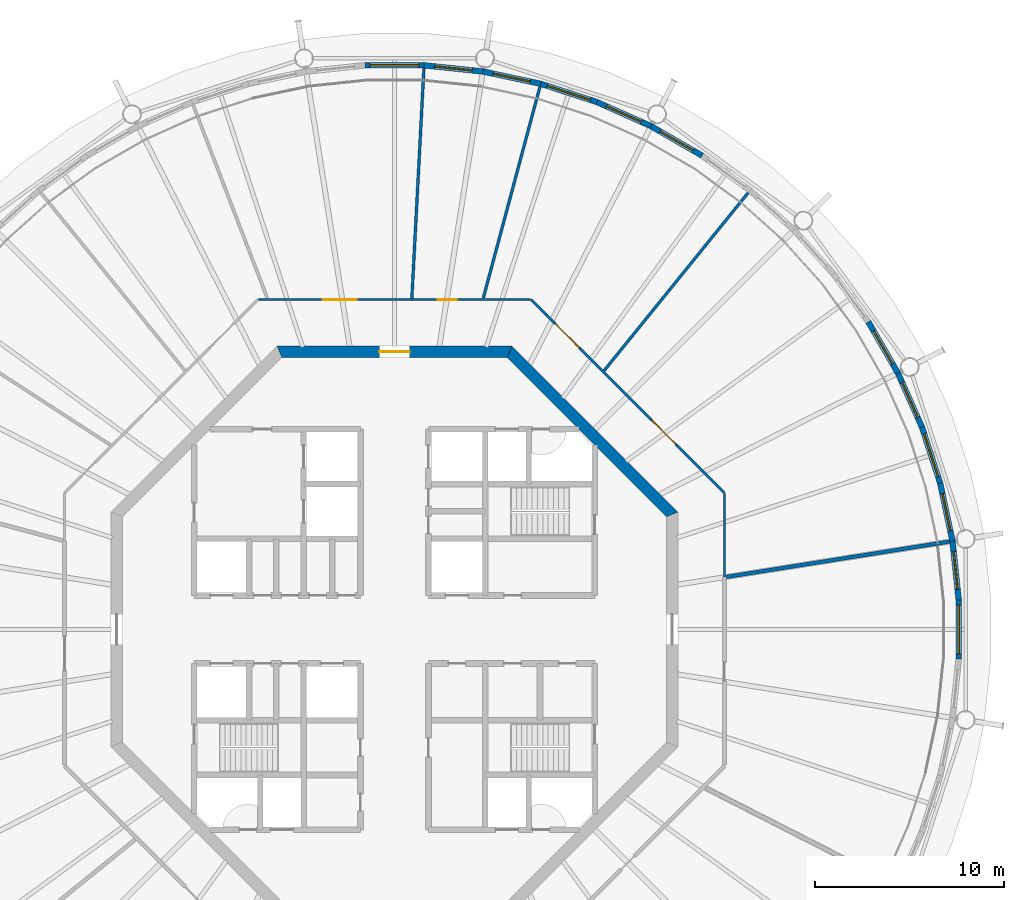
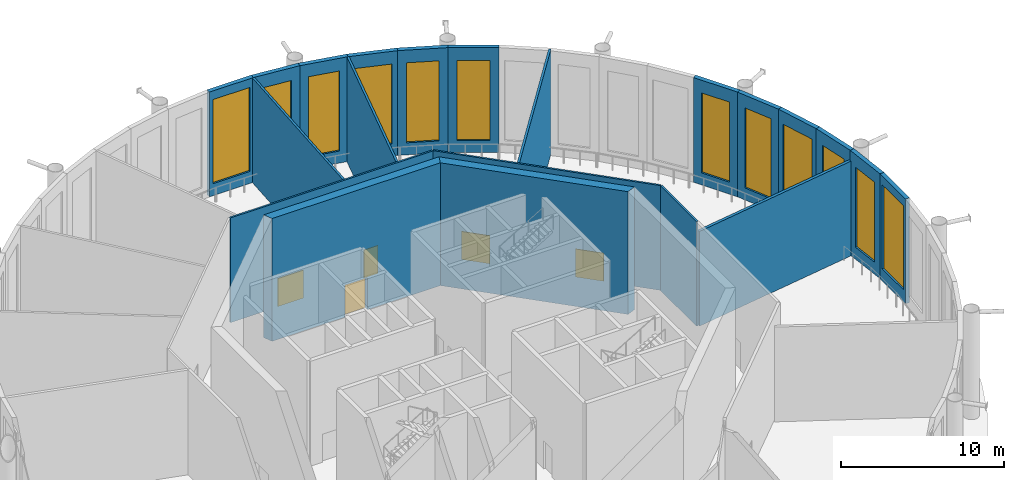
# One storey, part 8 of 17: 21 walls, 12 windows, 5 doors, 17 openings.
"""IFC4 building model written with IfcOpenShell, lengths in metres."""

from ifc_helpers import new_model, si_unit, direction, frame, frame_2d, origin, place, context, subcontext, project, spatial, polyline, rectangle, outline, extrude, material, layer, layer_set, type_object, element, fill, save


model = new_model("IFC4")

# Units and contexts
model_context = context("Model", 3, precision=1e-05, world=origin(), true_north=direction((0.0, 1.0)))
body_context = subcontext(model_context, "Body", "Model", "MODEL_VIEW")
ifc_project = project(units=[si_unit("LENGTHUNIT", "METRE"), si_unit("AREAUNIT", "SQUARE_METRE"), si_unit("VOLUMEUNIT", "CUBIC_METRE"), si_unit("PLANEANGLEUNIT", "RADIAN"), si_unit("MASSUNIT", "GRAM", prefix="KILO")], contexts=[model_context])

# Site, building, storey
site_placement = place(None, origin())
site = spatial("IfcSite", under=ifc_project, at=site_placement, CompositionType="ELEMENT")
building_placement = place(site_placement, origin())
building = spatial("IfcBuilding", under=site, at=building_placement, Name="Entoto Ring Tower", CompositionType="ELEMENT")
storey_placement = place(building_placement, frame((0.0, 0.0, 407.0)))
storey = spatial("IfcBuildingStorey", under=building, at=storey_placement, Name="L93", CompositionType="ELEMENT", Elevation=407.0)

# Wall
ifc_material_1 = material(Name="Concrete C40/50", Category="concrete")
ifc_layer_1 = layer(ifc_material_1, 0.60009765625)
ifc_layer_set_1 = layer_set([ifc_layer_1], Name="Concrete C40/50")
wall_type_1 = type_object("IfcWallType", Name="Core shear wall 600 mm reinforced concrete C40/50 to roof parapet", PredefinedType="SHEAR", material=ifc_layer_set_1)
wall_1_placement = place(storey_placement, frame((104.699951171875, 86.0888671875, 0.0), z_axis=(0.0, 0.0, 1.0), x_axis=(-0.707106781187, 0.707106781187, 0.0)))
element("IfcWall", 1, at=wall_1_placement, inside=storey, type_object=wall_type_1, Name="wall-L93-core-1", PredefinedType="SHEAR", context=body_context, shape_type="SweptSolid", body=[
    extrude(outline(polyline([(-0.124267578125, -0.300048828125), (12.30224609375, -0.300048828125), (12.0537109375, 0.300048828125), (0.124267578125, 0.300048828125), (-0.124267578125, -0.300048828125)])), origin(), (0.0, 0.0, 1.0), 9.199951171875),
])

# Wall, opening, door
wall_2_placement = place(storey_placement, frame((96.0888671875, 94.699951171875, 0.0), z_axis=(0.0, 0.0, 1.0), x_axis=(-1.0, 0.0, 0.0)))
wall_2 = element("IfcWall", 2, at=wall_2_placement, inside=storey, type_object=wall_type_1, Name="wall-L93-core-2", PredefinedType="SHEAR", context=body_context, shape_type="SweptSolid", body=[
    extrude(outline(polyline([(-0.124267578125, -0.300048828125), (12.302001953125, -0.300048828125), (12.053466796875, 0.300048828125), (0.124267578125, 0.300048828125), (-0.124267578125, -0.300048828125)])), origin(), (0.0, 0.0, 1.0), 9.199951171875),
])
opening_1_placement = place(wall_2_placement, frame((5.288818359375, 0.0, 0.0)))
opening_1 = element("IfcOpeningElement", 3, at=opening_1_placement, cuts=wall_2, Name="Opening K-02", PredefinedType="OPENING", context=body_context, shape_type="SweptSolid", body=[
    extrude(rectangle(XDim=1.60009765625, YDim=2.39990234375, at=frame_2d((0.800048828125, 1.199951171875))), frame((0.0, 0.31005859375, 0.0), z_axis=(0.0, -1.0, 0.0), x_axis=(1.0, 0.0, 0.0)), (0.0, 0.0, 1.0), 0.6201171875),
])
ifc_material_2 = material(Name="Steel door leaf, fire rated", Category="steel")
ifc_layer_2 = layer(ifc_material_2, 0.050048828125)
ifc_layer_set_2 = layer_set([ifc_layer_2], Name="Steel door leaf, fire rated")
door_type_1 = type_object("IfcDoorType", Name="Entrance door FD60 1600 x 2400 double leaf", OperationType="DOUBLE_DOOR_SINGLE_SWING", PredefinedType="DOOR", material=ifc_layer_set_2)
door_1_placement = place(opening_1_placement, origin())
door_1 = element("IfcDoor", 4, at=door_1_placement, inside=storey, type_object=door_type_1, Name="Entrance door K-02", OperationType="DOUBLE_DOOR_SINGLE_SWING", OverallHeight=2.39990234375, OverallWidth=1.60009765625, PredefinedType="DOOR", context=body_context, shape_type="SweptSolid", body=[
    extrude(rectangle(XDim=1.60009765625, YDim=2.39990234375, at=frame_2d((0.800048828125, 1.199951171875))), frame((0.0, 0.02490234375, 0.0), z_axis=(0.0, -1.0, 0.0), x_axis=(1.0, 0.0, 0.0)), (0.0, 0.0, 1.0), 0.050048828125),
])
fill(opening_1, door_1)

# Wall, openings, doors
ifc_material_3 = material(Name="Fire-resisting plasterboard on steel studs", Category="steel")
ifc_layer_3 = layer(ifc_material_3, 0.125)
ifc_layer_set_3 = layer_set([ifc_layer_3], Name="Fire-resisting plasterboard on steel studs")
wall_type_2 = type_object("IfcWallType", Name="Corridor wall 125 mm one-hour plasterboard on steel studs", PredefinedType="PARTITIONING", material=ifc_layer_set_3)
wall_3_placement = place(storey_placement, frame((107.46240234375, 87.233154296875, 0.0), z_axis=(0.0, 0.0, 1.0), x_axis=(-0.707106781187, 0.707106781187, 0.0)))
wall_3 = element("IfcWall", 5, at=wall_3_placement, inside=storey, type_object=wall_type_2, Name="partition-L93-002", PredefinedType="PARTITIONING", context=body_context, shape_type="SweptSolid", body=[
    extrude(rectangle(XDim=14.46630859375, YDim=0.125, at=frame_2d((7.233154296875, 0.0))), origin(), (0.0, 0.0, 1.0), 7.85009765625),
])
opening_2_placement = place(wall_3_placement, frame((3.63427734375, 0.0, 0.0)))
opening_2 = element("IfcOpeningElement", 6, at=opening_2_placement, cuts=wall_3, Name="Opening A41-D01", PredefinedType="OPENING", context=body_context, shape_type="SweptSolid", body=[
    extrude(rectangle(XDim=1.800048828125, YDim=2.10009765625, at=frame_2d((0.89990234375, 1.050048828125))), frame((0.0, 0.072509765625, 0.0), z_axis=(0.0, -1.0, 0.0), x_axis=(1.0, 0.0, 0.0)), (0.0, 0.0, 1.0), 0.14501953125),
])
opening_3_placement = place(wall_3_placement, frame((10.867431640625, 0.0, 0.0)))
opening_3 = element("IfcOpeningElement", 7, at=opening_3_placement, cuts=wall_3, Name="Opening A41-D02", PredefinedType="OPENING", context=body_context, shape_type="SweptSolid", body=[
    extrude(rectangle(XDim=1.800048828125, YDim=2.10009765625, at=frame_2d((0.89990234375, 1.050048828125))), frame((0.0, 0.072509765625, 0.0), z_axis=(0.0, -1.0, 0.0), x_axis=(1.0, 0.0, 0.0)), (0.0, 0.0, 1.0), 0.14501953125),
])
ifc_material_4 = material(Name="Fire-resisting timber door set", Category="wood")
door_type_2 = type_object("IfcDoorType", Name="Door 1800 x 2100 double leaf FD30S fire door", OperationType="DOUBLE_DOOR_SINGLE_SWING", PredefinedType="DOOR", material=ifc_material_4)
door_2_placement = place(opening_2_placement, origin())
door_2 = element("IfcDoor", 8, at=door_2_placement, inside=storey, type_object=door_type_2, Name="Door A41-D01", OperationType="DOUBLE_DOOR_SINGLE_SWING", OverallHeight=2.10009765625, OverallWidth=1.800048828125, PredefinedType="DOOR", context=body_context, shape_type="SweptSolid", body=[
    extrude(rectangle(XDim=1.800048828125, YDim=2.10009765625, at=frame_2d((0.89990234375, 1.050048828125))), frame((0.0, 0.02490234375, 0.0), z_axis=(0.0, -1.0, 0.0), x_axis=(1.0, 0.0, 0.0)), (0.0, 0.0, 1.0), 0.050048828125),
])
fill(opening_2, door_2)
door_3_placement = place(opening_3_placement, origin())
door_3 = element("IfcDoor", 9, at=door_3_placement, inside=storey, type_object=door_type_2, Name="Door A41-D02", OperationType="DOUBLE_DOOR_SINGLE_SWING", OverallHeight=2.10009765625, OverallWidth=1.800048828125, PredefinedType="DOOR", context=body_context, shape_type="SweptSolid", body=[
    extrude(rectangle(XDim=1.800048828125, YDim=2.10009765625, at=frame_2d((0.89990234375, 1.050048828125))), frame((0.0, 0.02490234375, 0.0), z_axis=(0.0, -1.0, 0.0), x_axis=(1.0, 0.0, 0.0)), (0.0, 0.0, 1.0), 0.050048828125),
])
fill(opening_3, door_3)

wall_4_placement = place(storey_placement, frame((82.810791015625, 97.46240234375, 0.0), z_axis=(0.0, 0.0, 1.0), x_axis=(1.0, 0.0, 0.0)))
wall_4 = element("IfcWall", 10, at=wall_4_placement, inside=storey, type_object=wall_type_2, Name="partition-L93-003", PredefinedType="PARTITIONING", context=body_context, shape_type="SweptSolid", body=[
    extrude(rectangle(XDim=14.37841796875, YDim=0.125, at=frame_2d((7.189208984375, 0.0))), origin(), (0.0, 0.0, 1.0), 7.85009765625),
])
opening_4_placement = place(wall_4_placement, frame((9.486328125, 0.0, 0.0)))
opening_4 = element("IfcOpeningElement", 11, at=opening_4_placement, cuts=wall_4, Name="Opening A41-D03", PredefinedType="OPENING", context=body_context, shape_type="SweptSolid", body=[
    extrude(rectangle(XDim=1.0, YDim=2.10009765625, at=frame_2d((0.5, 1.050048828125))), frame((0.0, 0.072509765625, 0.0), z_axis=(0.0, -1.0, 0.0), x_axis=(1.0, 0.0, 0.0)), (0.0, 0.0, 1.0), 0.14501953125),
])
opening_5_placement = place(wall_4_placement, frame((3.395263671875, 0.0, 0.0)))
opening_5 = element("IfcOpeningElement", 12, at=opening_5_placement, cuts=wall_4, Name="Opening A41-D04", PredefinedType="OPENING", context=body_context, shape_type="SweptSolid", body=[
    extrude(rectangle(XDim=1.800048828125, YDim=2.10009765625, at=frame_2d((0.89990234375, 1.050048828125))), frame((0.0, 0.072509765625, 0.0), z_axis=(0.0, -1.0, 0.0), x_axis=(1.0, 0.0, 0.0)), (0.0, 0.0, 1.0), 0.14501953125),
])
ifc_material_5 = material(Name="Fire-resisting timber door set", Category="wood")
door_type_3 = type_object("IfcDoorType", Name="Door 1000 x 2100 single leaf FD30S fire door", OperationType="NOTDEFINED", PredefinedType="DOOR", material=ifc_material_5)
door_4_placement = place(opening_4_placement, origin())
door_4 = element("IfcDoor", 13, at=door_4_placement, inside=storey, type_object=door_type_3, Name="Door A41-D03", OperationType="SINGLE_SWING_LEFT", OverallHeight=2.10009765625, OverallWidth=1.0, PredefinedType="DOOR", context=body_context, shape_type="SweptSolid", body=[
    extrude(rectangle(XDim=1.0, YDim=2.10009765625, at=frame_2d((0.5, 1.050048828125))), frame((0.0, 0.02490234375, 0.0), z_axis=(0.0, -1.0, 0.0), x_axis=(1.0, 0.0, 0.0)), (0.0, 0.0, 1.0), 0.050048828125),
])
fill(opening_4, door_4)
door_5_placement = place(opening_5_placement, frame((1.800048828125, 0.0, 0.0), z_axis=(0.0, 0.0, 1.0), x_axis=(-1.0, 0.0, 0.0)))
door_5 = element("IfcDoor", 14, at=door_5_placement, inside=storey, type_object=door_type_2, Name="Door A41-D04", OperationType="DOUBLE_DOOR_SINGLE_SWING", OverallHeight=2.10009765625, OverallWidth=1.800048828125, PredefinedType="DOOR", context=body_context, shape_type="SweptSolid", body=[
    extrude(rectangle(XDim=1.800048828125, YDim=2.10009765625, at=frame_2d((0.89990234375, 1.050048828125))), frame((0.0, 0.02490234375, 0.0), z_axis=(0.0, -1.0, 0.0), x_axis=(1.0, 0.0, 0.0)), (0.0, 0.0, 1.0), 0.050048828125),
])
fill(opening_5, door_5)

# Wall
wall_5_placement = place(storey_placement, frame((107.46240234375, 82.765869140625, 0.0), z_axis=(0.0, 0.0, 1.0), x_axis=(0.0, 1.0, 0.0)))
element("IfcWall", 15, at=wall_5_placement, inside=storey, type_object=wall_type_2, Name="partition-L93-005", PredefinedType="PARTITIONING", context=body_context, shape_type="SweptSolid", body=[
    extrude(rectangle(XDim=4.42333984375, YDim=0.125, at=frame_2d((2.211669921875, 0.0))), origin(), (0.0, 0.0, 1.0), 7.85009765625),
])

# Wall, opening, window
ifc_material_6 = material(Name="Insulated aluminium rainscreen on steel studs", Category="steel")
ifc_layer_4 = layer(ifc_material_6, 0.300048828125)
ifc_layer_set_4 = layer_set([ifc_layer_4], Name="Insulated aluminium rainscreen on steel studs")
wall_type_3 = type_object("IfcWallType", Name="Observation facade wall 300 mm", PredefinedType="STANDARD", material=ifc_layer_set_4)
wall_6_placement = place(storey_placement, frame((119.531982421875, 84.677490234375, 0.0), z_axis=(0.0, 0.0, 1.0), x_axis=(-0.207967911336, 0.978135649005, 0.0)))
wall_6 = element("IfcWall", 16, at=wall_6_placement, inside=storey, type_object=wall_type_3, Name="OBSERVATION WALL 00", PredefinedType="STANDARD", context=body_context, shape_type="SweptSolid", body=[
    extrude(outline(polyline([(-0.0078125, -0.14990234375), (3.137451171875, -0.14990234375), (3.121826171875, 0.14990234375), (0.0078125, 0.14990234375), (-0.0078125, -0.14990234375)])), origin(), (0.0, 0.0, 1.0), 7.85009765625),
])
opening_6_placement = place(wall_6_placement, frame((0.56494140625, 0.0, 0.89990234375)))
opening_6 = element("IfcOpeningElement", 17, at=opening_6_placement, cuts=wall_6, Name="Opening W2", PredefinedType="OPENING", context=body_context, shape_type="SweptSolid", body=[
    extrude(rectangle(XDim=2.0, YDim=6.0, at=frame_2d((1.0, 3.0))), frame((0.0, 0.16015625, 0.0), z_axis=(0.0, -1.0, 0.0), x_axis=(1.0, 0.0, 0.0)), (0.0, 0.0, 1.0), 0.320068359375),
])
ifc_material_7 = material(Name="Clear low-iron glass in anodised aluminium frame", Category="aluminium")
window_type_1 = type_object("IfcWindowType", Name="Observation window W2 2000 x 6000 mm fixed", PartitioningType="SINGLE_PANEL", PredefinedType="WINDOW", material=ifc_material_7)
window_1_placement = place(opening_6_placement, origin())
window_1 = element("IfcWindow", 18, at=window_1_placement, inside=storey, type_object=window_type_1, Name="OBSERVATION WINDOW 00", OverallHeight=6.0, OverallWidth=2.0, PartitioningType="SINGLE_PANEL", PredefinedType="WINDOW", context=body_context, shape_type="SweptSolid", body=[
    extrude(rectangle(XDim=2.0, YDim=6.0, at=frame_2d((1.0, 3.0))), frame((0.0, 0.030029296875, 0.0), z_axis=(0.0, -1.0, 0.0), x_axis=(1.0, 0.0, 0.0)), (0.0, 0.0, 1.0), 0.06005859375),
])
fill(opening_6, window_1)

wall_7_placement = place(storey_placement, frame((118.881103515625, 87.73876953125, 0.0), z_axis=(0.0, 0.0, 1.0), x_axis=(-0.309010219079, 0.951058717696, 0.0)))
wall_7 = element("IfcWall", 19, at=wall_7_placement, inside=storey, type_object=wall_type_3, Name="OBSERVATION WALL 01", PredefinedType="STANDARD", context=body_context, shape_type="SweptSolid", body=[
    extrude(outline(polyline([(-0.0078125, -0.14990234375), (3.13720703125, -0.14990234375), (3.12158203125, 0.14990234375), (0.0078125, 0.14990234375), (-0.0078125, -0.14990234375)])), origin(), (0.0, 0.0, 1.0), 7.85009765625),
])
opening_7_placement = place(wall_7_placement, frame((0.36474609375, 0.0, 0.89990234375)))
opening_7 = element("IfcOpeningElement", 20, at=opening_7_placement, cuts=wall_7, Name="Opening W1", PredefinedType="OPENING", context=body_context, shape_type="SweptSolid", body=[
    extrude(rectangle(XDim=2.39990234375, YDim=6.0, at=frame_2d((1.199951171875, 3.0))), frame((0.0, 0.16015625, 0.0), z_axis=(0.0, -1.0, 0.0), x_axis=(1.0, 0.0, 0.0)), (0.0, 0.0, 1.0), 0.320068359375),
])
ifc_material_8 = material(Name="Clear low-iron glass in anodised aluminium frame", Category="aluminium")
window_type_2 = type_object("IfcWindowType", Name="Observation window W1 2400 x 6000 mm fixed", PartitioningType="SINGLE_PANEL", PredefinedType="WINDOW", material=ifc_material_8)
window_2_placement = place(opening_7_placement, origin())
window_2 = element("IfcWindow", 21, at=window_2_placement, inside=storey, type_object=window_type_2, Name="OBSERVATION WINDOW 01", OverallHeight=6.0, OverallWidth=2.39990234375, PartitioningType="SINGLE_PANEL", PredefinedType="WINDOW", context=body_context, shape_type="SweptSolid", body=[
    extrude(rectangle(XDim=2.39990234375, YDim=6.0, at=frame_2d((1.199951171875, 3.0))), frame((0.0, 0.030029296875, 0.0), z_axis=(0.0, -1.0, 0.0), x_axis=(1.0, 0.0, 0.0)), (0.0, 0.0, 1.0), 0.06005859375),
])
fill(opening_7, window_2)

wall_8_placement = place(storey_placement, frame((117.9140625, 90.715087890625, 0.0), z_axis=(0.0, 0.0, 1.0), x_axis=(-0.406731881889, 0.913547577445, 0.0)))
wall_8 = element("IfcWall", 22, at=wall_8_placement, inside=storey, type_object=wall_type_3, Name="OBSERVATION WALL 02", PredefinedType="STANDARD", context=body_context, shape_type="SweptSolid", body=[
    extrude(outline(polyline([(-0.0078125, -0.14990234375), (3.137451171875, -0.14990234375), (3.121826171875, 0.14990234375), (0.0078125, 0.14990234375), (-0.0078125, -0.14990234375)])), origin(), (0.0, 0.0, 1.0), 7.85009765625),
])
opening_8_placement = place(wall_8_placement, frame((0.56494140625, 0.0, 0.89990234375)))
opening_8 = element("IfcOpeningElement", 23, at=opening_8_placement, cuts=wall_8, Name="Opening W2", PredefinedType="OPENING", context=body_context, shape_type="SweptSolid", body=[
    extrude(rectangle(XDim=2.0, YDim=6.0, at=frame_2d((1.0, 3.0))), frame((0.0, 0.16015625, 0.0), z_axis=(0.0, -1.0, 0.0), x_axis=(1.0, 0.0, 0.0)), (0.0, 0.0, 1.0), 0.320068359375),
])
window_3_placement = place(opening_8_placement, origin())
window_3 = element("IfcWindow", 24, at=window_3_placement, inside=storey, type_object=window_type_1, Name="OBSERVATION WINDOW 02", OverallHeight=6.0, OverallWidth=2.0, PartitioningType="SINGLE_PANEL", PredefinedType="WINDOW", context=body_context, shape_type="SweptSolid", body=[
    extrude(rectangle(XDim=2.0, YDim=6.0, at=frame_2d((1.0, 3.0))), frame((0.0, 0.030029296875, 0.0), z_axis=(0.0, -1.0, 0.0), x_axis=(1.0, 0.0, 0.0)), (0.0, 0.0, 1.0), 0.06005859375),
])
fill(opening_8, window_3)

wall_9_placement = place(storey_placement, frame((116.64111328125, 93.57421875, 0.0), z_axis=(0.0, 0.0, 1.0), x_axis=(-0.5000150537, 0.866016712352, 0.0)))
wall_9 = element("IfcWall", 25, at=wall_9_placement, inside=storey, type_object=wall_type_3, Name="OBSERVATION WALL 03", PredefinedType="STANDARD", context=body_context, shape_type="SweptSolid", body=[
    extrude(outline(polyline([(-0.0078125, -0.14990234375), (3.1376953125, -0.14990234375), (3.1220703125, 0.14990234375), (0.0078125, 0.14990234375), (-0.0078125, -0.14990234375)])), origin(), (0.0, 0.0, 1.0), 7.85009765625),
])
opening_9_placement = place(wall_9_placement, frame((0.56494140625, 0.0, 0.89990234375)))
opening_9 = element("IfcOpeningElement", 26, at=opening_9_placement, cuts=wall_9, Name="Opening W2", PredefinedType="OPENING", context=body_context, shape_type="SweptSolid", body=[
    extrude(rectangle(XDim=2.0, YDim=6.0, at=frame_2d((1.0, 3.0))), frame((0.0, 0.16015625, 0.0), z_axis=(0.0, -1.0, 0.0), x_axis=(1.0, 0.0, 0.0)), (0.0, 0.0, 1.0), 0.320068359375),
])
window_4_placement = place(opening_9_placement, origin())
window_4 = element("IfcWindow", 27, at=window_4_placement, inside=storey, type_object=window_type_1, Name="OBSERVATION WINDOW 03", OverallHeight=6.0, OverallWidth=2.0, PartitioningType="SINGLE_PANEL", PredefinedType="WINDOW", context=body_context, shape_type="SweptSolid", body=[
    extrude(rectangle(XDim=2.0, YDim=6.0, at=frame_2d((1.0, 3.0))), frame((0.0, 0.030029296875, 0.0), z_axis=(0.0, -1.0, 0.0), x_axis=(1.0, 0.0, 0.0)), (0.0, 0.0, 1.0), 0.06005859375),
])
fill(opening_9, window_4)

wall_10_placement = place(storey_placement, frame((106.28466796875, 105.076171875, 0.0), z_axis=(0.0, 0.0, 1.0), x_axis=(-0.866016712352, 0.5000150537, 0.0)))
wall_10 = element("IfcWall", 28, at=wall_10_placement, inside=storey, type_object=wall_type_3, Name="OBSERVATION WALL 08", PredefinedType="STANDARD", context=body_context, shape_type="SweptSolid", body=[
    extrude(outline(polyline([(-0.0078125, -0.14990234375), (3.1376953125, -0.14990234375), (3.1220703125, 0.14990234375), (0.0078125, 0.14990234375), (-0.0078125, -0.14990234375)])), origin(), (0.0, 0.0, 1.0), 7.85009765625),
])
opening_10_placement = place(wall_10_placement, frame((0.56494140625, 0.0, 0.89990234375)))
opening_10 = element("IfcOpeningElement", 29, at=opening_10_placement, cuts=wall_10, Name="Opening W2", PredefinedType="OPENING", context=body_context, shape_type="SweptSolid", body=[
    extrude(rectangle(XDim=2.0, YDim=6.0, at=frame_2d((1.0, 3.0))), frame((0.0, 0.16015625, 0.0), z_axis=(0.0, -1.0, 0.0), x_axis=(1.0, 0.0, 0.0)), (0.0, 0.0, 1.0), 0.320068359375),
])
window_5_placement = place(opening_10_placement, origin())
window_5 = element("IfcWindow", 30, at=window_5_placement, inside=storey, type_object=window_type_1, Name="OBSERVATION WINDOW 08", OverallHeight=6.0, OverallWidth=2.0, PartitioningType="SINGLE_PANEL", PredefinedType="WINDOW", context=body_context, shape_type="SweptSolid", body=[
    extrude(rectangle(XDim=2.0, YDim=6.0, at=frame_2d((1.0, 3.0))), frame((0.0, 0.030029296875, 0.0), z_axis=(0.0, -1.0, 0.0), x_axis=(1.0, 0.0, 0.0)), (0.0, 0.0, 1.0), 0.06005859375),
])
fill(opening_10, window_5)

wall_11_placement = place(storey_placement, frame((103.57421875, 106.64111328125, 0.0), z_axis=(0.0, 0.0, 1.0), x_axis=(-0.913547577445, 0.406731881889, 0.0)))
wall_11 = element("IfcWall", 31, at=wall_11_placement, inside=storey, type_object=wall_type_3, Name="OBSERVATION WALL 09", PredefinedType="STANDARD", context=body_context, shape_type="SweptSolid", body=[
    extrude(outline(polyline([(-0.0078125, -0.14990234375), (3.137451171875, -0.14990234375), (3.121826171875, 0.14990234375), (0.0078125, 0.14990234375), (-0.0078125, -0.14990234375)])), origin(), (0.0, 0.0, 1.0), 7.85009765625),
])
opening_11_placement = place(wall_11_placement, frame((0.56494140625, 0.0, 0.89990234375)))
opening_11 = element("IfcOpeningElement", 32, at=opening_11_placement, cuts=wall_11, Name="Opening W2", PredefinedType="OPENING", context=body_context, shape_type="SweptSolid", body=[
    extrude(rectangle(XDim=2.0, YDim=6.0, at=frame_2d((1.0, 3.0))), frame((0.0, 0.16015625, 0.0), z_axis=(0.0, -1.0, 0.0), x_axis=(1.0, 0.0, 0.0)), (0.0, 0.0, 1.0), 0.320068359375),
])
window_6_placement = place(opening_11_placement, origin())
window_6 = element("IfcWindow", 33, at=window_6_placement, inside=storey, type_object=window_type_1, Name="OBSERVATION WINDOW 09", OverallHeight=6.0, OverallWidth=2.0, PartitioningType="SINGLE_PANEL", PredefinedType="WINDOW", context=body_context, shape_type="SweptSolid", body=[
    extrude(rectangle(XDim=2.0, YDim=6.0, at=frame_2d((1.0, 3.0))), frame((0.0, 0.030029296875, 0.0), z_axis=(0.0, -1.0, 0.0), x_axis=(1.0, 0.0, 0.0)), (0.0, 0.0, 1.0), 0.06005859375),
])
fill(opening_11, window_6)

wall_12_placement = place(storey_placement, frame((100.715087890625, 107.9140625, 0.0), z_axis=(0.0, 0.0, 1.0), x_axis=(-0.951058717696, 0.309010219079, 0.0)))
wall_12 = element("IfcWall", 34, at=wall_12_placement, inside=storey, type_object=wall_type_3, Name="OBSERVATION WALL 10", PredefinedType="STANDARD", context=body_context, shape_type="SweptSolid", body=[
    extrude(outline(polyline([(-0.0078125, -0.14990234375), (3.13720703125, -0.14990234375), (3.12158203125, 0.14990234375), (0.0078125, 0.14990234375), (-0.0078125, -0.14990234375)])), origin(), (0.0, 0.0, 1.0), 7.85009765625),
])
opening_12_placement = place(wall_12_placement, frame((0.36474609375, 0.0, 0.89990234375)))
opening_12 = element("IfcOpeningElement", 35, at=opening_12_placement, cuts=wall_12, Name="Opening W1", PredefinedType="OPENING", context=body_context, shape_type="SweptSolid", body=[
    extrude(rectangle(XDim=2.39990234375, YDim=6.0, at=frame_2d((1.199951171875, 3.0))), frame((0.0, 0.16015625, 0.0), z_axis=(0.0, -1.0, 0.0), x_axis=(1.0, 0.0, 0.0)), (0.0, 0.0, 1.0), 0.320068359375),
])
window_7_placement = place(opening_12_placement, origin())
window_7 = element("IfcWindow", 36, at=window_7_placement, inside=storey, type_object=window_type_2, Name="OBSERVATION WINDOW 10", OverallHeight=6.0, OverallWidth=2.39990234375, PartitioningType="SINGLE_PANEL", PredefinedType="WINDOW", context=body_context, shape_type="SweptSolid", body=[
    extrude(rectangle(XDim=2.39990234375, YDim=6.0, at=frame_2d((1.199951171875, 3.0))), frame((0.0, 0.030029296875, 0.0), z_axis=(0.0, -1.0, 0.0), x_axis=(1.0, 0.0, 0.0)), (0.0, 0.0, 1.0), 0.06005859375),
])
fill(opening_12, window_7)

wall_13_placement = place(storey_placement, frame((97.73876953125, 108.881103515625, 0.0), z_axis=(0.0, 0.0, 1.0), x_axis=(-0.978135649005, 0.207967911336, 0.0)))
wall_13 = element("IfcWall", 37, at=wall_13_placement, inside=storey, type_object=wall_type_3, Name="OBSERVATION WALL 11", PredefinedType="STANDARD", context=body_context, shape_type="SweptSolid", body=[
    extrude(outline(polyline([(-0.0078125, -0.14990234375), (3.137451171875, -0.14990234375), (3.121826171875, 0.14990234375), (0.0078125, 0.14990234375), (-0.0078125, -0.14990234375)])), origin(), (0.0, 0.0, 1.0), 7.85009765625),
])
opening_13_placement = place(wall_13_placement, frame((0.56494140625, 0.0, 0.89990234375)))
opening_13 = element("IfcOpeningElement", 38, at=opening_13_placement, cuts=wall_13, Name="Opening W2", PredefinedType="OPENING", context=body_context, shape_type="SweptSolid", body=[
    extrude(rectangle(XDim=2.0, YDim=6.0, at=frame_2d((1.0, 3.0))), frame((0.0, 0.16015625, 0.0), z_axis=(0.0, -1.0, 0.0), x_axis=(1.0, 0.0, 0.0)), (0.0, 0.0, 1.0), 0.320068359375),
])
window_8_placement = place(opening_13_placement, origin())
window_8 = element("IfcWindow", 39, at=window_8_placement, inside=storey, type_object=window_type_1, Name="OBSERVATION WINDOW 11", OverallHeight=6.0, OverallWidth=2.0, PartitioningType="SINGLE_PANEL", PredefinedType="WINDOW", context=body_context, shape_type="SweptSolid", body=[
    extrude(rectangle(XDim=2.0, YDim=6.0, at=frame_2d((1.0, 3.0))), frame((0.0, 0.030029296875, 0.0), z_axis=(0.0, -1.0, 0.0), x_axis=(1.0, 0.0, 0.0)), (0.0, 0.0, 1.0), 0.06005859375),
])
fill(opening_13, window_8)

wall_14_placement = place(storey_placement, frame((94.677490234375, 109.531982421875, 0.0), z_axis=(0.0, 0.0, 1.0), x_axis=(-0.994521683674, 0.10453047738, 0.0)))
wall_14 = element("IfcWall", 40, at=wall_14_placement, inside=storey, type_object=wall_type_3, Name="OBSERVATION WALL 12", PredefinedType="STANDARD", context=body_context, shape_type="SweptSolid", body=[
    extrude(outline(polyline([(-0.0078125, -0.14990234375), (3.137451171875, -0.14990234375), (3.121826171875, 0.14990234375), (0.0078125, 0.14990234375), (-0.0078125, -0.14990234375)])), origin(), (0.0, 0.0, 1.0), 7.85009765625),
])
opening_14_placement = place(wall_14_placement, frame((0.56494140625, 0.0, 0.89990234375)))
opening_14 = element("IfcOpeningElement", 41, at=opening_14_placement, cuts=wall_14, Name="Opening W2", PredefinedType="OPENING", context=body_context, shape_type="SweptSolid", body=[
    extrude(rectangle(XDim=2.0, YDim=6.0, at=frame_2d((1.0, 3.0))), frame((0.0, 0.16015625, 0.0), z_axis=(0.0, -1.0, 0.0), x_axis=(1.0, 0.0, 0.0)), (0.0, 0.0, 1.0), 0.320068359375),
])
window_9_placement = place(opening_14_placement, origin())
window_9 = element("IfcWindow", 42, at=window_9_placement, inside=storey, type_object=window_type_1, Name="OBSERVATION WINDOW 12", OverallHeight=6.0, OverallWidth=2.0, PartitioningType="SINGLE_PANEL", PredefinedType="WINDOW", context=body_context, shape_type="SweptSolid", body=[
    extrude(rectangle(XDim=2.0, YDim=6.0, at=frame_2d((1.0, 3.0))), frame((0.0, 0.030029296875, 0.0), z_axis=(0.0, -1.0, 0.0), x_axis=(1.0, 0.0, 0.0)), (0.0, 0.0, 1.0), 0.06005859375),
])
fill(opening_14, window_9)

wall_15_placement = place(storey_placement, frame((91.56494140625, 109.859130859375, 0.0), z_axis=(0.0, 0.0, 1.0), x_axis=(-1.0, 0.0, 0.0)))
wall_15 = element("IfcWall", 43, at=wall_15_placement, inside=storey, type_object=wall_type_3, Name="OBSERVATION WALL 13", PredefinedType="STANDARD", context=body_context, shape_type="SweptSolid", body=[
    extrude(outline(polyline([(-0.0078125, -0.14990234375), (3.1376953125, -0.14990234375), (3.1220703125, 0.14990234375), (0.0078125, 0.14990234375), (-0.0078125, -0.14990234375)])), origin(), (0.0, 0.0, 1.0), 7.85009765625),
])
opening_15_placement = place(wall_15_placement, frame((0.264892578125, 0.0, 0.89990234375)))
opening_15 = element("IfcOpeningElement", 44, at=opening_15_placement, cuts=wall_15, Name="Opening W3", PredefinedType="OPENING", context=body_context, shape_type="SweptSolid", body=[
    extrude(rectangle(XDim=2.60009765625, YDim=6.300048828125, at=frame_2d((1.300048828125, 3.14990234375))), frame((0.0, 0.16015625, 0.0), z_axis=(0.0, -1.0, 0.0), x_axis=(1.0, 0.0, 0.0)), (0.0, 0.0, 1.0), 0.320068359375),
])
ifc_material_9 = material(Name="Clear low-iron glass in anodised aluminium frame", Category="aluminium")
window_type_3 = type_object("IfcWindowType", Name="Observation window W3 2600 x 6300 mm fixed", PartitioningType="SINGLE_PANEL", PredefinedType="WINDOW", material=ifc_material_9)
window_10_placement = place(opening_15_placement, origin())
window_10 = element("IfcWindow", 45, at=window_10_placement, inside=storey, type_object=window_type_3, Name="OBSERVATION WINDOW 13", OverallHeight=6.300048828125, OverallWidth=2.60009765625, PartitioningType="SINGLE_PANEL", PredefinedType="WINDOW", context=body_context, shape_type="SweptSolid", body=[
    extrude(rectangle(XDim=2.60009765625, YDim=6.300048828125, at=frame_2d((1.300048828125, 3.14990234375))), frame((0.0, 0.030029296875, 0.0), z_axis=(0.0, -1.0, 0.0), x_axis=(1.0, 0.0, 0.0)), (0.0, 0.0, 1.0), 0.06005859375),
])
fill(opening_15, window_10)

wall_16_placement = place(storey_placement, frame((119.859130859375, 78.43505859375, 0.0), z_axis=(0.0, 0.0, 1.0), x_axis=(0.0, 1.0, 0.0)))
wall_16 = element("IfcWall", 46, at=wall_16_placement, inside=storey, type_object=wall_type_3, Name="OBSERVATION WALL 58", PredefinedType="STANDARD", context=body_context, shape_type="SweptSolid", body=[
    extrude(outline(polyline([(-0.0078125, -0.14990234375), (3.1376953125, -0.14990234375), (3.1220703125, 0.14990234375), (0.0078125, 0.14990234375), (-0.0078125, -0.14990234375)])), origin(), (0.0, 0.0, 1.0), 7.85009765625),
])
opening_16_placement = place(wall_16_placement, frame((0.264892578125, 0.0, 0.89990234375)))
opening_16 = element("IfcOpeningElement", 47, at=opening_16_placement, cuts=wall_16, Name="Opening W3", PredefinedType="OPENING", context=body_context, shape_type="SweptSolid", body=[
    extrude(rectangle(XDim=2.60009765625, YDim=6.300048828125, at=frame_2d((1.300048828125, 3.14990234375))), frame((0.0, 0.16015625, 0.0), z_axis=(0.0, -1.0, 0.0), x_axis=(1.0, 0.0, 0.0)), (0.0, 0.0, 1.0), 0.320068359375),
])
window_11_placement = place(opening_16_placement, origin())
window_11 = element("IfcWindow", 48, at=window_11_placement, inside=storey, type_object=window_type_3, Name="OBSERVATION WINDOW 58", OverallHeight=6.300048828125, OverallWidth=2.60009765625, PartitioningType="SINGLE_PANEL", PredefinedType="WINDOW", context=body_context, shape_type="SweptSolid", body=[
    extrude(rectangle(XDim=2.60009765625, YDim=6.300048828125, at=frame_2d((1.300048828125, 3.14990234375))), frame((0.0, 0.030029296875, 0.0), z_axis=(0.0, -1.0, 0.0), x_axis=(1.0, 0.0, 0.0)), (0.0, 0.0, 1.0), 0.06005859375),
])
fill(opening_16, window_11)

wall_17_placement = place(storey_placement, frame((119.859130859375, 81.56494140625, 0.0), z_axis=(0.0, 0.0, 1.0), x_axis=(-0.10453047738, 0.994521683674, 0.0)))
wall_17 = element("IfcWall", 49, at=wall_17_placement, inside=storey, type_object=wall_type_3, Name="OBSERVATION WALL 59", PredefinedType="STANDARD", context=body_context, shape_type="SweptSolid", body=[
    extrude(outline(polyline([(-0.0078125, -0.14990234375), (3.137451171875, -0.14990234375), (3.121826171875, 0.14990234375), (0.0078125, 0.14990234375), (-0.0078125, -0.14990234375)])), origin(), (0.0, 0.0, 1.0), 7.85009765625),
])
opening_17_placement = place(wall_17_placement, frame((0.56494140625, 0.0, 0.89990234375)))
opening_17 = element("IfcOpeningElement", 50, at=opening_17_placement, cuts=wall_17, Name="Opening W2", PredefinedType="OPENING", context=body_context, shape_type="SweptSolid", body=[
    extrude(rectangle(XDim=2.0, YDim=6.0, at=frame_2d((1.0, 3.0))), frame((0.0, 0.16015625, 0.0), z_axis=(0.0, -1.0, 0.0), x_axis=(1.0, 0.0, 0.0)), (0.0, 0.0, 1.0), 0.320068359375),
])
window_12_placement = place(opening_17_placement, origin())
window_12 = element("IfcWindow", 51, at=window_12_placement, inside=storey, type_object=window_type_1, Name="OBSERVATION WINDOW 59", OverallHeight=6.0, OverallWidth=2.0, PartitioningType="SINGLE_PANEL", PredefinedType="WINDOW", context=body_context, shape_type="SweptSolid", body=[
    extrude(rectangle(XDim=2.0, YDim=6.0, at=frame_2d((1.0, 3.0))), frame((0.0, 0.030029296875, 0.0), z_axis=(0.0, -1.0, 0.0), x_axis=(1.0, 0.0, 0.0)), (0.0, 0.0, 1.0), 0.06005859375),
])
fill(opening_17, window_12)

# Walls
ifc_material_10 = material(Name="Fire-resisting acoustic plasterboard on steel studs", Category="steel")
ifc_layer_5 = layer(ifc_material_10, 0.14990234375)
ifc_layer_set_5 = layer_set([ifc_layer_5], Name="Fire-resisting acoustic plasterboard on steel studs")
wall_type_4 = type_object("IfcWallType", Name="Party wall 150 mm one-hour acoustic plasterboard on steel studs", PredefinedType="PARTITIONING", material=ifc_layer_set_5)
wall_18_placement = place(storey_placement, frame((90.918701171875, 97.52880859375, 0.0), z_axis=(0.0, 0.0, 1.0), x_axis=(0.052328145998, 0.998629944042, 0.0)))
element("IfcWall", 52, at=wall_18_placement, inside=storey, type_object=wall_type_4, Name="partition-L93-008", PredefinedType="PARTITIONING", context=body_context, shape_type="SweptSolid", body=[
    extrude(rectangle(XDim=12.38720703125, YDim=0.14990234375, at=frame_2d((6.193603515625, 0.0))), origin(), (0.0, 0.0, 1.0), 7.85009765625),
])
wall_19_placement = place(storey_placement, frame((101.094482421875, 93.70068359375, 0.0), z_axis=(0.0, 0.0, 1.0), x_axis=(0.6293203083, 0.777146028467, 0.0)))
element("IfcWall", 53, at=wall_19_placement, inside=storey, type_object=wall_type_4, Name="partition-L93-010", PredefinedType="PARTITIONING", context=body_context, shape_type="SweptSolid", body=[
    extrude(rectangle(XDim=12.310546875, YDim=0.14990234375, at=frame_2d((6.1552734375, 0.0))), origin(), (0.0, 0.0, 1.0), 7.85009765625),
])
wall_20_placement = place(storey_placement, frame((94.700927734375, 97.544189453125, 0.0), z_axis=(0.0, 0.0, 1.0), x_axis=(0.258817253658, 0.965926306303, 0.0)))
element("IfcWall", 54, at=wall_20_placement, inside=storey, type_object=wall_type_4, Name="partition-L93-012", PredefinedType="PARTITIONING", context=body_context, shape_type="SweptSolid", body=[
    extrude(rectangle(XDim=11.777099609375, YDim=0.14990234375, at=frame_2d((5.888671875, 0.0))), origin(), (0.0, 0.0, 1.0), 7.85009765625),
])
ifc_material_11 = material(Name="Concrete C20/25", Category="concrete")
ifc_layer_6 = layer(ifc_material_11, 0.199951171875)
ifc_layer_set_6 = layer_set([ifc_layer_6], Name="Concrete C20/25")
wall_type_5 = type_object("IfcWallType", Name="Plant room wall 200 mm two-hour concrete, 7097 mm high", PredefinedType="PARTITIONING", material=ifc_layer_set_6)
wall_21_placement = place(storey_placement, frame((107.56005859375, 82.78125, 0.0), z_axis=(0.0, 0.0, 1.0), x_axis=(0.987688953814, 0.156430593279, 0.0)))
element("IfcWall", 55, at=wall_21_placement, inside=storey, type_object=wall_type_5, Name="partition-L93-017", PredefinedType="PARTITIONING", context=body_context, shape_type="SweptSolid", body=[
    extrude(rectangle(XDim=12.160888671875, YDim=0.199951171875, at=frame_2d((6.08056640625, 0.0))), origin(), (0.0, 0.0, 1.0), 7.096923828125),
])

save(model, "model.ifc")
